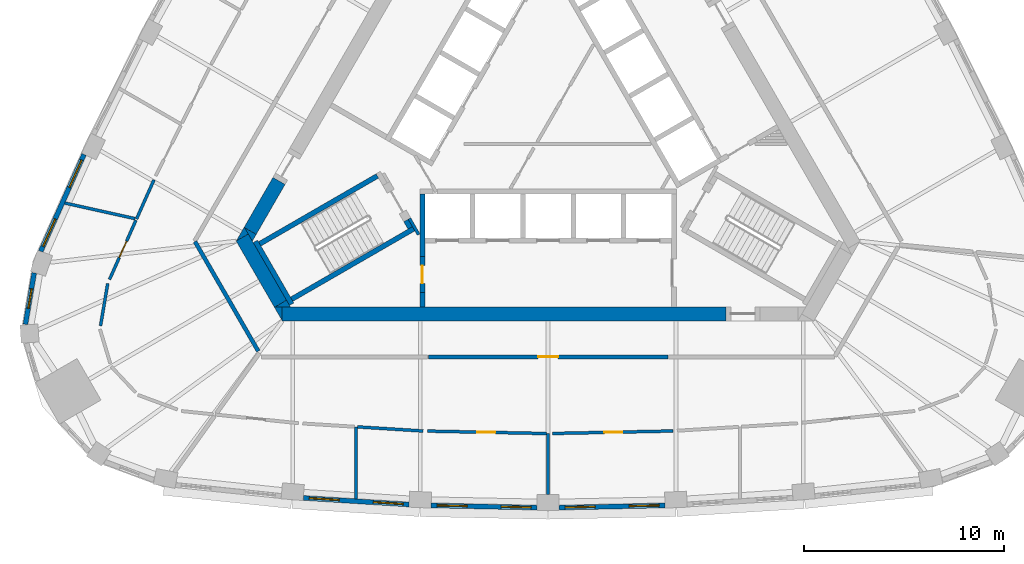
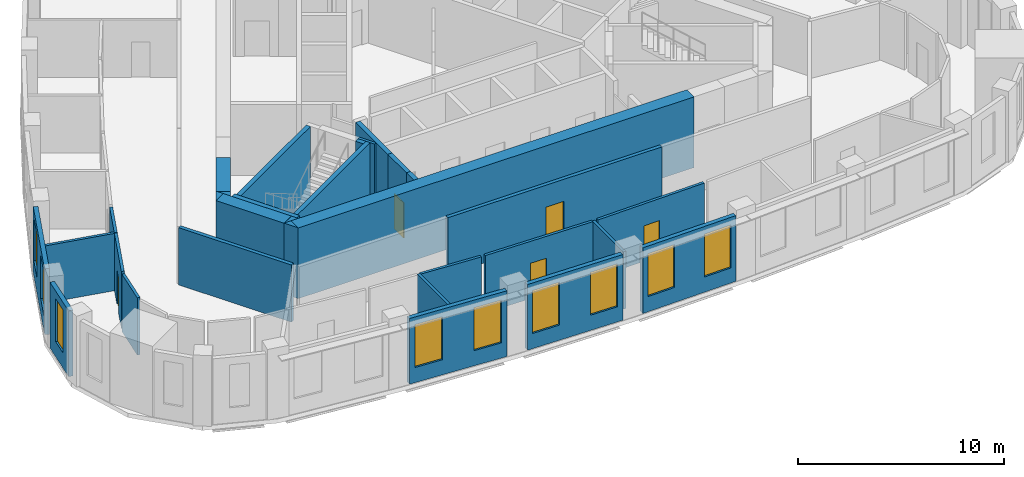
# One storey, part 3 of 11: 31 walls, 9 windows, 5 doors, 14 openings.
"""IFC4 building model written with IfcOpenShell, lengths in metres."""

from ifc_helpers import new_model, si_unit, direction, frame, frame_2d, origin, place, context, subcontext, project, spatial, polyline, rectangle, outline, extrude, material, layer, layer_set, type_object, element, fill, save


model = new_model("IFC4")

# Units and contexts
model_context = context("Model", 3, precision=1e-05, world=origin(), true_north=direction((0.0, 1.0)))
body_context = subcontext(model_context, "Body", "Model", "MODEL_VIEW")
ifc_project = project(units=[si_unit("LENGTHUNIT", "METRE"), si_unit("AREAUNIT", "SQUARE_METRE"), si_unit("VOLUMEUNIT", "CUBIC_METRE"), si_unit("PLANEANGLEUNIT", "RADIAN"), si_unit("MASSUNIT", "GRAM", prefix="KILO")], contexts=[model_context])

# Site, building, storey
site_placement = place(None, origin())
site = spatial("IfcSite", under=ifc_project, at=site_placement, CompositionType="ELEMENT")
building_placement = place(site_placement, origin())
building = spatial("IfcBuilding", under=site, at=building_placement, Name="Mestral Congress Tower", CompositionType="ELEMENT")
storey_placement = place(building_placement, frame((0.0, 0.0, 252.0)))
storey = spatial("IfcBuildingStorey", under=building, at=storey_placement, Name="L59", CompositionType="ELEMENT", Elevation=252.0)

# Walls
ifc_material_1 = material(Name="Concrete C60/75", Category="concrete")
ifc_layer_1 = layer(ifc_material_1, 0.699951171875)
ifc_layer_set_1 = layer_set([ifc_layer_1], Name="Concrete C60/75")
wall_type_1 = type_object("IfcWallType", Name="Core wall RC 700", PredefinedType="SOLIDWALL", material=ifc_layer_set_1)
wall_1_placement = place(storey_placement, frame((8.904296875, -10.0, 0.0), z_axis=(0.0, 0.0, 1.0), x_axis=(-1.0, 0.0, 0.0)))
element("IfcWall", 1, at=wall_1_placement, inside=storey, type_object=wall_type_1, Name="L59 core wall", PredefinedType="SOLIDWALL", context=body_context, shape_type="SweptSolid", body=[
    extrude(rectangle(XDim=22.226318359375, YDim=0.699951171875, at=frame_2d((11.11328125, 0.0))), origin(), (0.0, 0.0, 1.0), 4.199951171875),
])
placement = place(storey_placement, origin())
element("IfcWall", 2, at=placement, inside=storey, type_object=wall_type_1, Name="L59 core wall", PredefinedType="SOLIDWALL", context=body_context, shape_type="SweptSolid", body=[
    extrude(outline(polyline([(-13.7119140625, -9.64990234375), (-13.323974609375, -9.64990234375), (-13.323974609375, -10.322021484375), (-13.7119140625, -9.64990234375)])), origin(), (0.0, 0.0, 1.0), 4.199951171875),
])
wall_3_placement = place(storey_placement, frame((-13.40185546875, -9.4873046875, 0.0), z_axis=(0.0, 0.0, 1.0), x_axis=(-0.500020498207, 0.866013568815, 0.0)))
element("IfcWall", 3, at=wall_3_placement, inside=storey, type_object=wall_type_1, Name="L59 core wall", PredefinedType="SOLIDWALL", context=body_context, shape_type="SweptSolid", body=[
    extrude(rectangle(XDim=3.828857421875, YDim=0.699951171875, at=frame_2d((1.91455078125, 0.0))), origin(), (0.0, 0.0, 1.0), 4.199951171875),
])
element("IfcWall", 4, at=placement, inside=storey, type_object=wall_type_1, Name="L59 core wall", PredefinedType="SOLIDWALL", context=body_context, shape_type="SweptSolid", body=[
    extrude(outline(polyline([(-15.01416015625, -5.99462890625), (-15.611083984375, -6.33935546875), (-15.213134765625, -5.64990234375), (-15.01416015625, -5.99462890625)])), origin(), (0.0, 0.0, 1.0), 4.199951171875),
])
element("IfcWall", 5, at=placement, inside=storey, type_object=wall_type_1, Name="L59 core wall", PredefinedType="SOLIDWALL", context=body_context, shape_type="SweptSolid", body=[
    extrude(outline(polyline([(-12.90380859375, -9.64990234375), (-13.6796875, -9.64990234375), (-13.097900390625, -9.31396484375), (-12.90380859375, -9.64990234375)])), origin(), (0.0, 0.0, 1.0), 4.199951171875),
])
wall_6_placement = place(storey_placement, frame((-13.474853515625, -3.33935546875, 0.0), z_axis=(0.0, 0.0, 1.0), x_axis=(-0.500008214683, -0.866020660983, 0.0)))
element("IfcWall", 6, at=wall_6_placement, inside=storey, type_object=wall_type_1, Name="L59 core wall", PredefinedType="SOLIDWALL", context=body_context, shape_type="SweptSolid", body=[
    extrude(rectangle(XDim=2.88427734375, YDim=0.699951171875, at=frame_2d((1.442138671875, 0.0))), origin(), (0.0, 0.0, 1.0), 4.199951171875),
])
element("IfcWall", 7, at=placement, inside=storey, type_object=wall_type_1, Name="L59 core wall", PredefinedType="SOLIDWALL", context=body_context, shape_type="SweptSolid", body=[
    extrude(outline(polyline([(-14.80908203125, -6.35009765625), (-15.197021484375, -5.677978515625), (-14.614990234375, -6.013916015625), (-14.80908203125, -6.35009765625)])), origin(), (0.0, 0.0, 1.0), 4.199951171875),
])

# Wall, openings, windows
ifc_material_2 = material(Name="Precast concrete C40/50 with limestone facing", Category="masonry")
ifc_layer_2 = layer(ifc_material_2, 0.239990234375)
ifc_layer_set_2 = layer_set([ifc_layer_2], Name="Precast concrete C40/50 with limestone facing")
wall_type_2 = type_object("IfcWallType", Name="Facade stone wall 240", PredefinedType="SOLIDWALL", material=ifc_layer_set_2)
wall_8_placement = place(storey_placement, frame((-12.253173828125, -19.21337890625, 0.0), z_axis=(0.0, 0.0, 1.0), x_axis=(0.9980633213, -0.062206162685, 0.0)))
wall_8 = element("IfcWall", 8, at=wall_8_placement, inside=storey, type_object=wall_type_2, Name="Facade wall F0-01", PredefinedType="SOLIDWALL", context=body_context, shape_type="SweptSolid", body=[
    extrude(rectangle(XDim=5.29833984375, YDim=0.239990234375, at=frame_2d((2.649169921875, 0.0))), origin(), (0.0, 0.0, 1.0), 3.89990234375),
])
opening_1_placement = place(wall_8_placement, frame((0.29443359375, 0.0, 0.89990234375)))
opening_1 = element("IfcOpeningElement", 9, at=opening_1_placement, cuts=wall_8, Name="Opening W4", PredefinedType="OPENING", context=body_context, shape_type="SweptSolid", body=[
    extrude(rectangle(XDim=1.5, YDim=2.550048828125, at=frame_2d((0.75, 1.27490234375))), frame((0.0, 0.1298828125, 0.0), z_axis=(0.0, -1.0, 0.0), x_axis=(1.0, 0.0, 0.0)), (0.0, 0.0, 1.0), 0.260009765625),
])
opening_2_placement = place(wall_8_placement, frame((3.503662109375, 0.0, 0.89990234375)))
opening_2 = element("IfcOpeningElement", 10, at=opening_2_placement, cuts=wall_8, Name="Opening W4", PredefinedType="OPENING", context=body_context, shape_type="SweptSolid", body=[
    extrude(rectangle(XDim=1.5, YDim=2.550048828125, at=frame_2d((0.75, 1.27490234375))), frame((0.0, 0.1298828125, 0.0), z_axis=(0.0, -1.0, 0.0), x_axis=(1.0, 0.0, 0.0)), (0.0, 0.0, 1.0), 0.260009765625),
])
ifc_material_3 = material(Name="Clear low-emissivity double glazing", Category="glass")
window_type_1 = type_object("IfcWindowType", Name="Facade punched window 1500 x 2550 sill 900", PartitioningType="SINGLE_PANEL", PredefinedType="WINDOW", material=ifc_material_3)
window_1_placement = place(opening_1_placement, origin())
window_1 = element("IfcWindow", 11, at=window_1_placement, inside=storey, type_object=window_type_1, Name="Window F0-01a", OverallHeight=2.550048828125, OverallWidth=1.5, PartitioningType="SINGLE_PANEL", PredefinedType="WINDOW", context=body_context, shape_type="SweptSolid", body=[
    extrude(rectangle(XDim=1.5, YDim=2.550048828125, at=frame_2d((0.75, 1.27490234375))), frame((0.0, 0.0400390625, 0.0), z_axis=(0.0, -1.0, 0.0), x_axis=(1.0, 0.0, 0.0)), (0.0, 0.0, 1.0), 0.06005859375),
])
fill(opening_1, window_1)
window_2_placement = place(opening_2_placement, origin())
window_2 = element("IfcWindow", 12, at=window_2_placement, inside=storey, type_object=window_type_1, Name="Window F0-01b", OverallHeight=2.550048828125, OverallWidth=1.5, PartitioningType="SINGLE_PANEL", PredefinedType="WINDOW", context=body_context, shape_type="SweptSolid", body=[
    extrude(rectangle(XDim=1.5, YDim=2.550048828125, at=frame_2d((0.75, 1.27490234375))), frame((0.0, 0.0400390625, 0.0), z_axis=(0.0, -1.0, 0.0), x_axis=(1.0, 0.0, 0.0)), (0.0, 0.0, 1.0), 0.06005859375),
])
fill(opening_2, window_2)

wall_9_placement = place(storey_placement, frame((-5.853515625, -19.589111328125, 0.0), z_axis=(0.0, 0.0, 1.0), x_axis=(0.999784035184, -0.020781794712, 0.0)))
wall_9 = element("IfcWall", 13, at=wall_9_placement, inside=storey, type_object=wall_type_2, Name="Facade wall F0-02", PredefinedType="SOLIDWALL", context=body_context, shape_type="SweptSolid", body=[
    extrude(rectangle(XDim=5.29833984375, YDim=0.239990234375, at=frame_2d((2.649169921875, 0.0))), origin(), (0.0, 0.0, 1.0), 3.89990234375),
])
opening_3_placement = place(wall_9_placement, frame((0.29443359375, 0.0, 0.89990234375)))
opening_3 = element("IfcOpeningElement", 14, at=opening_3_placement, cuts=wall_9, Name="Opening W4", PredefinedType="OPENING", context=body_context, shape_type="SweptSolid", body=[
    extrude(rectangle(XDim=1.5, YDim=2.550048828125, at=frame_2d((0.75, 1.27490234375))), frame((0.0, 0.1298828125, 0.0), z_axis=(0.0, -1.0, 0.0), x_axis=(1.0, 0.0, 0.0)), (0.0, 0.0, 1.0), 0.260009765625),
])
opening_4_placement = place(wall_9_placement, frame((3.503662109375, 0.0, 0.89990234375)))
opening_4 = element("IfcOpeningElement", 15, at=opening_4_placement, cuts=wall_9, Name="Opening W4", PredefinedType="OPENING", context=body_context, shape_type="SweptSolid", body=[
    extrude(rectangle(XDim=1.5, YDim=2.550048828125, at=frame_2d((0.75, 1.27490234375))), frame((0.0, 0.1298828125, 0.0), z_axis=(0.0, -1.0, 0.0), x_axis=(1.0, 0.0, 0.0)), (0.0, 0.0, 1.0), 0.260009765625),
])
window_3_placement = place(opening_3_placement, origin())
window_3 = element("IfcWindow", 16, at=window_3_placement, inside=storey, type_object=window_type_1, Name="Window F0-02a", OverallHeight=2.550048828125, OverallWidth=1.5, PartitioningType="SINGLE_PANEL", PredefinedType="WINDOW", context=body_context, shape_type="SweptSolid", body=[
    extrude(rectangle(XDim=1.5, YDim=2.550048828125, at=frame_2d((0.75, 1.27490234375))), frame((0.0, 0.0400390625, 0.0), z_axis=(0.0, -1.0, 0.0), x_axis=(1.0, 0.0, 0.0)), (0.0, 0.0, 1.0), 0.06005859375),
])
fill(opening_3, window_3)
window_4_placement = place(opening_4_placement, origin())
window_4 = element("IfcWindow", 17, at=window_4_placement, inside=storey, type_object=window_type_1, Name="Window F0-02b", OverallHeight=2.550048828125, OverallWidth=1.5, PartitioningType="SINGLE_PANEL", PredefinedType="WINDOW", context=body_context, shape_type="SweptSolid", body=[
    extrude(rectangle(XDim=1.5, YDim=2.550048828125, at=frame_2d((0.75, 1.27490234375))), frame((0.0, 0.0400390625, 0.0), z_axis=(0.0, -1.0, 0.0), x_axis=(1.0, 0.0, 0.0)), (0.0, 0.0, 1.0), 0.06005859375),
])
fill(opening_4, window_4)

wall_10_placement = place(storey_placement, frame((0.556396484375, -19.69921875, 0.0), z_axis=(0.0, 0.0, 1.0), x_axis=(0.999784035184, 0.020781794712, 0.0)))
wall_10 = element("IfcWall", 18, at=wall_10_placement, inside=storey, type_object=wall_type_2, Name="Facade wall F0-03", PredefinedType="SOLIDWALL", context=body_context, shape_type="SweptSolid", body=[
    extrude(rectangle(XDim=5.29833984375, YDim=0.239990234375, at=frame_2d((2.649169921875, 0.0))), origin(), (0.0, 0.0, 1.0), 3.89990234375),
])
opening_5_placement = place(wall_10_placement, frame((0.29443359375, 0.0, 0.89990234375)))
opening_5 = element("IfcOpeningElement", 19, at=opening_5_placement, cuts=wall_10, Name="Opening W4", PredefinedType="OPENING", context=body_context, shape_type="SweptSolid", body=[
    extrude(rectangle(XDim=1.5, YDim=2.550048828125, at=frame_2d((0.75, 1.27490234375))), frame((0.0, 0.1298828125, 0.0), z_axis=(0.0, -1.0, 0.0), x_axis=(1.0, 0.0, 0.0)), (0.0, 0.0, 1.0), 0.260009765625),
])
opening_6_placement = place(wall_10_placement, frame((3.503662109375, 0.0, 0.89990234375)))
opening_6 = element("IfcOpeningElement", 20, at=opening_6_placement, cuts=wall_10, Name="Opening W4", PredefinedType="OPENING", context=body_context, shape_type="SweptSolid", body=[
    extrude(rectangle(XDim=1.5, YDim=2.550048828125, at=frame_2d((0.75, 1.27490234375))), frame((0.0, 0.1298828125, 0.0), z_axis=(0.0, -1.0, 0.0), x_axis=(1.0, 0.0, 0.0)), (0.0, 0.0, 1.0), 0.260009765625),
])
window_5_placement = place(opening_5_placement, origin())
window_5 = element("IfcWindow", 21, at=window_5_placement, inside=storey, type_object=window_type_1, Name="Window F0-03a", OverallHeight=2.550048828125, OverallWidth=1.5, PartitioningType="SINGLE_PANEL", PredefinedType="WINDOW", context=body_context, shape_type="SweptSolid", body=[
    extrude(rectangle(XDim=1.5, YDim=2.550048828125, at=frame_2d((0.75, 1.27490234375))), frame((0.0, 0.0400390625, 0.0), z_axis=(0.0, -1.0, 0.0), x_axis=(1.0, 0.0, 0.0)), (0.0, 0.0, 1.0), 0.06005859375),
])
fill(opening_5, window_5)
window_6_placement = place(opening_6_placement, origin())
window_6 = element("IfcWindow", 22, at=window_6_placement, inside=storey, type_object=window_type_1, Name="Window F0-03b", OverallHeight=2.550048828125, OverallWidth=1.5, PartitioningType="SINGLE_PANEL", PredefinedType="WINDOW", context=body_context, shape_type="SweptSolid", body=[
    extrude(rectangle(XDim=1.5, YDim=2.550048828125, at=frame_2d((0.75, 1.27490234375))), frame((0.0, 0.0400390625, 0.0), z_axis=(0.0, -1.0, 0.0), x_axis=(1.0, 0.0, 0.0)), (0.0, 0.0, 1.0), 0.06005859375),
])
fill(opening_6, window_6)

wall_11_placement = place(storey_placement, frame((-23.240478515625, -2.01123046875, 0.0), z_axis=(0.0, 0.0, 1.0), x_axis=(-0.407579651789, -0.913169659728, 0.0)))
wall_11 = element("IfcWall", 23, at=wall_11_placement, inside=storey, type_object=wall_type_2, Name="Facade wall F2-05", PredefinedType="SOLIDWALL", context=body_context, shape_type="SweptSolid", body=[
    extrude(rectangle(XDim=5.310791015625, YDim=0.239990234375, at=frame_2d((2.6552734375, 0.0))), origin(), (0.0, 0.0, 1.0), 3.89990234375),
])
opening_7_placement = place(wall_11_placement, frame((0.306396484375, 0.0, 0.89990234375)))
opening_7 = element("IfcOpeningElement", 24, at=opening_7_placement, cuts=wall_11, Name="Opening W4", PredefinedType="OPENING", context=body_context, shape_type="SweptSolid", body=[
    extrude(rectangle(XDim=1.5, YDim=2.550048828125, at=frame_2d((0.75, 1.27490234375))), frame((0.0, 0.1298828125, 0.0), z_axis=(0.0, -1.0, 0.0), x_axis=(1.0, 0.0, 0.0)), (0.0, 0.0, 1.0), 0.260009765625),
])
opening_8_placement = place(wall_11_placement, frame((3.539306640625, 0.0, 0.89990234375)))
opening_8 = element("IfcOpeningElement", 25, at=opening_8_placement, cuts=wall_11, Name="Opening W4", PredefinedType="OPENING", context=body_context, shape_type="SweptSolid", body=[
    extrude(rectangle(XDim=1.5, YDim=2.550048828125, at=frame_2d((0.75, 1.27490234375))), frame((0.0, 0.1298828125, 0.0), z_axis=(0.0, -1.0, 0.0), x_axis=(1.0, 0.0, 0.0)), (0.0, 0.0, 1.0), 0.260009765625),
])
window_7_placement = place(opening_7_placement, origin())
window_7 = element("IfcWindow", 26, at=window_7_placement, inside=storey, type_object=window_type_1, Name="Window F2-05a", OverallHeight=2.550048828125, OverallWidth=1.5, PartitioningType="SINGLE_PANEL", PredefinedType="WINDOW", context=body_context, shape_type="SweptSolid", body=[
    extrude(rectangle(XDim=1.5, YDim=2.550048828125, at=frame_2d((0.75, 1.27490234375))), frame((0.0, 0.0400390625, 0.0), z_axis=(0.0, -1.0, 0.0), x_axis=(1.0, 0.0, 0.0)), (0.0, 0.0, 1.0), 0.06005859375),
])
fill(opening_7, window_7)
window_8_placement = place(opening_8_placement, origin())
window_8 = element("IfcWindow", 27, at=window_8_placement, inside=storey, type_object=window_type_1, Name="Window F2-05b", OverallHeight=2.550048828125, OverallWidth=1.5, PartitioningType="SINGLE_PANEL", PredefinedType="WINDOW", context=body_context, shape_type="SweptSolid", body=[
    extrude(rectangle(XDim=1.5, YDim=2.550048828125, at=frame_2d((0.75, 1.27490234375))), frame((0.0, 0.0400390625, 0.0), z_axis=(0.0, -1.0, 0.0), x_axis=(1.0, 0.0, 0.0)), (0.0, 0.0, 1.0), 0.06005859375),
])
fill(opening_8, window_8)

# Wall, opening, window
wall_12_placement = place(storey_placement, frame((-25.734130859375, -7.94482421875, 0.0), z_axis=(0.0, 0.0, 1.0), x_axis=(-0.167660055546, -0.985844869021, 0.0)))
wall_12 = element("IfcWall", 28, at=wall_12_placement, inside=storey, type_object=wall_type_2, Name="Facade wall K2-0", PredefinedType="SOLIDWALL", context=body_context, shape_type="SweptSolid", body=[
    extrude(rectangle(XDim=2.609375, YDim=0.239990234375, at=frame_2d((1.3046875, 0.0))), origin(), (0.0, 0.0, 1.0), 3.89990234375),
])
opening_9_placement = place(wall_12_placement, frame((0.8046875, 0.0, 0.89990234375)))
opening_9 = element("IfcOpeningElement", 29, at=opening_9_placement, cuts=wall_12, Name="Opening W5", PredefinedType="OPENING", context=body_context, shape_type="SweptSolid", body=[
    extrude(rectangle(XDim=1.0, YDim=2.550048828125, at=frame_2d((0.5, 1.27490234375))), frame((0.0, 0.1298828125, 0.0), z_axis=(0.0, -1.0, 0.0), x_axis=(1.0, 0.0, 0.0)), (0.0, 0.0, 1.0), 0.260009765625),
])
window_type_2 = type_object("IfcWindowType", Name="Facade punched window 1000 x 2550 sill 900", PartitioningType="SINGLE_PANEL", PredefinedType="WINDOW", material=ifc_material_3)
window_9_placement = place(opening_9_placement, origin())
window_9 = element("IfcWindow", 30, at=window_9_placement, inside=storey, type_object=window_type_2, Name="Window K2-0", OverallHeight=2.550048828125, OverallWidth=1.0, PartitioningType="SINGLE_PANEL", PredefinedType="WINDOW", context=body_context, shape_type="SweptSolid", body=[
    extrude(rectangle(XDim=1.0, YDim=2.550048828125, at=frame_2d((0.5, 1.27490234375))), frame((0.0, 0.0400390625, 0.0), z_axis=(0.0, -1.0, 0.0), x_axis=(1.0, 0.0, 0.0)), (0.0, 0.0, 1.0), 0.06005859375),
])
fill(opening_9, window_9)

# Walls
ifc_material_4 = material(Name="Plasterboard partition on steel studs", Category="steel")
ifc_layer_3 = layer(ifc_material_4, 0.14990234375)
ifc_layer_set_3 = layer_set([ifc_layer_3], Name="Plasterboard partition on steel studs")
wall_type_3 = type_object("IfcWallType", Name="Office partition 150", PredefinedType="PARTITIONING", material=ifc_layer_set_3)
wall_13_placement = place(storey_placement, frame((-9.61962890625, -15.650390625, 0.0), z_axis=(0.0, 0.0, 1.0), x_axis=(0.0, -1.0, 0.0)))
element("IfcWall", 31, at=wall_13_placement, inside=storey, type_object=wall_type_3, Name="Partition", PredefinedType="PARTITIONING", context=body_context, shape_type="SweptSolid", body=[
    extrude(rectangle(XDim=3.60693359375, YDim=0.14990234375, at=frame_2d((1.803466796875, 0.0))), origin(), (0.0, 0.0, 1.0), 3.39990234375),
])
wall_14_placement = place(storey_placement, frame((0.0, -15.989990234375, 0.0), z_axis=(0.0, 0.0, 1.0), x_axis=(0.0, -1.0, 0.0)))
element("IfcWall", 32, at=wall_14_placement, inside=storey, type_object=wall_type_3, Name="Partition", PredefinedType="PARTITIONING", context=body_context, shape_type="SweptSolid", body=[
    extrude(rectangle(XDim=3.04052734375, YDim=0.14990234375, at=frame_2d((1.520263671875, 0.0))), origin(), (0.0, 0.0, 1.0), 3.39990234375),
])
wall_15_placement = place(storey_placement, frame((-9.544677734375, -15.655029296875, 0.0), z_axis=(0.0, 0.0, 1.0), x_axis=(0.998062078928, -0.062226092652, 0.0)))
element("IfcWall", 33, at=wall_15_placement, inside=storey, type_object=wall_type_3, Name="Partition", PredefinedType="PARTITIONING", context=body_context, shape_type="SweptSolid", body=[
    extrude(rectangle(XDim=3.295654296875, YDim=0.14990234375, at=frame_2d((1.64794921875, 0.0))), origin(), (0.0, 0.0, 1.0), 3.39990234375),
])

# Wall, opening, door
wall_16_placement = place(storey_placement, frame((-0.074951171875, -15.98828125, 0.0), z_axis=(0.0, 0.0, 1.0), x_axis=(-0.999784863333, 0.020741915284, 0.0)))
wall_16 = element("IfcWall", 34, at=wall_16_placement, inside=storey, type_object=wall_type_3, Name="Partition", PredefinedType="PARTITIONING", context=body_context, shape_type="SweptSolid", body=[
    extrude(rectangle(XDim=5.967529296875, YDim=0.14990234375, at=frame_2d((2.98388671875, 0.0))), origin(), (0.0, 0.0, 1.0), 3.39990234375),
])
opening_10_placement = place(wall_16_placement, frame((2.5673828125, 0.0, 0.0)))
opening_10 = element("IfcOpeningElement", 35, at=opening_10_placement, cuts=wall_16, Name="Opening O10-002", PredefinedType="OPENING", context=body_context, shape_type="SweptSolid", body=[
    extrude(rectangle(XDim=0.89990234375, YDim=2.10009765625, at=frame_2d((0.449951171875, 1.050048828125))), frame((0.0, 0.0849609375, 0.0), z_axis=(0.0, -1.0, 0.0), x_axis=(1.0, 0.0, 0.0)), (0.0, 0.0, 1.0), 0.169921875),
])
ifc_material_5 = material(Name="Timber door set", Category="wood")
door_type_1 = type_object("IfcDoorType", Name="Office door 900x2100", OperationType="SINGLE_SWING_LEFT", PredefinedType="DOOR", material=ifc_material_5)
door_1_placement = place(opening_10_placement, origin())
door_1 = element("IfcDoor", 36, at=door_1_placement, inside=storey, type_object=door_type_1, Name="Door O10-002", OperationType="SINGLE_SWING_RIGHT", OverallHeight=2.10009765625, OverallWidth=0.89990234375, PredefinedType="DOOR", context=body_context, shape_type="SweptSolid", body=[
    extrude(rectangle(XDim=0.89990234375, YDim=2.10009765625, at=frame_2d((0.449951171875, 1.050048828125))), frame((0.0, 0.02490234375, 0.0), z_axis=(0.0, -1.0, 0.0), x_axis=(1.0, 0.0, 0.0)), (0.0, 0.0, 1.0), 0.050048828125),
])
fill(opening_10, door_1)

wall_17_placement = place(storey_placement, frame((6.25537109375, -15.860107421875, 0.0), z_axis=(0.0, 0.0, 1.0), x_axis=(-0.999785172511, -0.020727007213, 0.0)))
wall_17 = element("IfcWall", 37, at=wall_17_placement, inside=storey, type_object=wall_type_3, Name="Partition", PredefinedType="PARTITIONING", context=body_context, shape_type="SweptSolid", body=[
    extrude(rectangle(XDim=6.04248046875, YDim=0.14990234375, at=frame_2d((3.021240234375, 0.0))), origin(), (0.0, 0.0, 1.0), 3.39990234375),
])
opening_11_placement = place(wall_17_placement, frame((2.54248046875, 0.0, 0.0)))
opening_11 = element("IfcOpeningElement", 38, at=opening_11_placement, cuts=wall_17, Name="Opening O10-003", PredefinedType="OPENING", context=body_context, shape_type="SweptSolid", body=[
    extrude(rectangle(XDim=0.89990234375, YDim=2.10009765625, at=frame_2d((0.449951171875, 1.050048828125))), frame((0.0, 0.0849609375, 0.0), z_axis=(0.0, -1.0, 0.0), x_axis=(1.0, 0.0, 0.0)), (0.0, 0.0, 1.0), 0.169921875),
])
door_2_placement = place(opening_11_placement, origin())
door_2 = element("IfcDoor", 39, at=door_2_placement, inside=storey, type_object=door_type_1, Name="Door O10-003", OperationType="SINGLE_SWING_LEFT", OverallHeight=2.10009765625, OverallWidth=0.89990234375, PredefinedType="DOOR", context=body_context, shape_type="SweptSolid", body=[
    extrude(rectangle(XDim=0.89990234375, YDim=2.10009765625, at=frame_2d((0.449951171875, 1.050048828125))), frame((0.0, 0.02490234375, 0.0), z_axis=(0.0, -1.0, 0.0), x_axis=(1.0, 0.0, 0.0)), (0.0, 0.0, 1.0), 0.050048828125),
])
fill(opening_11, door_2)

# Walls
wall_18_placement = place(storey_placement, frame((-19.7353515625, -3.28564453125, 0.0), z_axis=(0.0, 0.0, 1.0), x_axis=(-0.407596561527, -0.913162112131, 0.0)))
element("IfcWall", 40, at=wall_18_placement, inside=storey, type_object=wall_type_3, Name="Partition", PredefinedType="PARTITIONING", context=body_context, shape_type="SweptSolid", body=[
    extrude(rectangle(XDim=2.14306640625, YDim=0.14990234375, at=frame_2d((1.071533203125, 0.0))), origin(), (0.0, 0.0, 1.0), 3.39990234375),
])
wall_19_placement = place(storey_placement, frame((-20.68359375, -5.22607421875, 0.0), z_axis=(0.0, 0.0, 1.0), x_axis=(-0.976260449593, 0.216599941274, 0.0)))
element("IfcWall", 41, at=wall_19_placement, inside=storey, type_object=wall_type_3, Name="Partition", PredefinedType="PARTITIONING", context=body_context, shape_type="SweptSolid", body=[
    extrude(rectangle(XDim=3.597900390625, YDim=0.14990234375, at=frame_2d((1.798828125, 0.0))), origin(), (0.0, 0.0, 1.0), 3.39990234375),
])
wall_20_placement = place(storey_placement, frame((-22.41162109375, -10.5966796875, 0.0), z_axis=(0.0, 0.0, 1.0), x_axis=(0.167612004459, 0.985853039738, 0.0)))
element("IfcWall", 42, at=wall_20_placement, inside=storey, type_object=wall_type_3, Name="Partition", PredefinedType="PARTITIONING", context=body_context, shape_type="SweptSolid", body=[
    extrude(rectangle(XDim=2.15576171875, YDim=0.14990234375, at=frame_2d((1.077880859375, 0.0))), origin(), (0.0, 0.0, 1.0), 3.39990234375),
])

# Wall, opening, door
wall_21_placement = place(storey_placement, frame((-21.962890625, -8.27587890625, 0.0), z_axis=(0.0, 0.0, 1.0), x_axis=(0.407560214661, 0.913178334952, 0.0)))
wall_21 = element("IfcWall", 43, at=wall_21_placement, inside=storey, type_object=wall_type_3, Name="Partition", PredefinedType="PARTITIONING", context=body_context, shape_type="SweptSolid", body=[
    extrude(rectangle(XDim=3.2490234375, YDim=0.14990234375, at=frame_2d((1.62451171875, 0.0))), origin(), (0.0, 0.0, 1.0), 3.39990234375),
])
opening_12_placement = place(wall_21_placement, frame((1.199951171875, 0.0, 0.0)))
opening_12 = element("IfcOpeningElement", 44, at=opening_12_placement, cuts=wall_21, Name="Opening O10-017", PredefinedType="OPENING", context=body_context, shape_type="SweptSolid", body=[
    extrude(rectangle(XDim=0.89990234375, YDim=2.10009765625, at=frame_2d((0.449951171875, 1.050048828125))), frame((0.0, 0.0849609375, 0.0), z_axis=(0.0, -1.0, 0.0), x_axis=(1.0, 0.0, 0.0)), (0.0, 0.0, 1.0), 0.169921875),
])
door_3_placement = place(opening_12_placement, origin())
door_3 = element("IfcDoor", 45, at=door_3_placement, inside=storey, type_object=door_type_1, Name="Door O10-017", OperationType="SINGLE_SWING_RIGHT", OverallHeight=2.10009765625, OverallWidth=0.89990234375, PredefinedType="DOOR", context=body_context, shape_type="SweptSolid", body=[
    extrude(rectangle(XDim=0.89990234375, YDim=2.10009765625, at=frame_2d((0.449951171875, 1.050048828125))), frame((0.0, 0.02490234375, 0.0), z_axis=(0.0, -1.0, 0.0), x_axis=(1.0, 0.0, 0.0)), (0.0, 0.0, 1.0), 0.050048828125),
])
fill(opening_12, door_3)

ifc_material_6 = material(Name="Dense masonry wall, plastered", Category="masonry")
ifc_layer_4 = layer(ifc_material_6, 0.199951171875)
ifc_layer_set_4 = layer_set([ifc_layer_4], Name="Dense masonry wall, plastered")
wall_type_4 = type_object("IfcWallType", Name="Office tenancy wall 200", PredefinedType="PARTITIONING", material=ifc_layer_set_4)
wall_22_placement = place(storey_placement, frame((-6.0, -12.14990234375, 0.0), z_axis=(0.0, 0.0, 1.0), x_axis=(1.0, 0.0, 0.0)))
wall_22 = element("IfcWall", 46, at=wall_22_placement, inside=storey, type_object=wall_type_4, Name="Tenancy wall", PredefinedType="PARTITIONING", context=body_context, shape_type="SweptSolid", body=[
    extrude(rectangle(XDim=12.0, YDim=0.199951171875, at=frame_2d((6.0, 0.0))), origin(), (0.0, 0.0, 1.0), 3.39990234375),
])
opening_13_placement = place(wall_22_placement, frame((5.5, 0.0, 0.0)))
opening_13 = element("IfcOpeningElement", 47, at=opening_13_placement, cuts=wall_22, Name="Opening O10-006", PredefinedType="OPENING", context=body_context, shape_type="SweptSolid", body=[
    extrude(rectangle(XDim=1.0, YDim=2.10009765625, at=frame_2d((0.5, 1.050048828125))), frame((0.0, 0.10986328125, 0.0), z_axis=(0.0, -1.0, 0.0), x_axis=(1.0, 0.0, 0.0)), (0.0, 0.0, 1.0), 0.219970703125),
])
ifc_material_7 = material(Name="Fire-rated timber door set", Category="wood")
door_type_2 = type_object("IfcDoorType", Name="Office tenancy entrance door 1000x2100", OperationType="SINGLE_SWING_LEFT", PredefinedType="DOOR", material=ifc_material_7)
door_4_placement = place(opening_13_placement, origin())
door_4 = element("IfcDoor", 48, at=door_4_placement, inside=storey, type_object=door_type_2, Name="Door O10-006", OperationType="SINGLE_SWING_RIGHT", OverallHeight=2.10009765625, OverallWidth=1.0, PredefinedType="DOOR", context=body_context, shape_type="SweptSolid", body=[
    extrude(rectangle(XDim=1.0, YDim=2.10009765625, at=frame_2d((0.5, 1.050048828125))), frame((0.0, 0.02490234375, 0.0), z_axis=(0.0, -1.0, 0.0), x_axis=(1.0, 0.0, 0.0)), (0.0, 0.0, 1.0), 0.050048828125),
])
fill(opening_13, door_4)

# Walls
wall_23_placement = place(storey_placement, frame((-17.680908203125, -6.3759765625, 0.0), z_axis=(0.0, 0.0, 1.0), x_axis=(0.500017005442, -0.866015585465, 0.0)))
element("IfcWall", 49, at=wall_23_placement, inside=storey, type_object=wall_type_4, Name="Tenancy wall", PredefinedType="PARTITIONING", context=body_context, shape_type="SweptSolid", body=[
    extrude(rectangle(XDim=6.337646484375, YDim=0.199951171875, at=frame_2d((3.1689453125, 0.0))), origin(), (0.0, 0.0, 1.0), 3.39990234375),
])
ifc_layer_5 = layer(ifc_material_1, 0.25)
ifc_layer_set_5 = layer_set([ifc_layer_5], Name="Concrete C60/75")
wall_type_5 = type_object("IfcWallType", Name="Shaft wall RC 250", PredefinedType="SOLIDWALL", material=ifc_layer_set_5)
wall_24_placement = place(storey_placement, frame((-6.300048828125, -8.9248046875, 0.0), z_axis=(0.0, 0.0, 1.0), x_axis=(0.0, -1.0, 0.0)))
element("IfcWall", 50, at=wall_24_placement, inside=storey, type_object=wall_type_5, Name="L59 core wall", PredefinedType="SOLIDWALL", context=body_context, shape_type="SweptSolid", body=[
    extrude(rectangle(XDim=0.72509765625, YDim=0.25, at=frame_2d((0.362548828125, 0.0))), origin(), (0.0, 0.0, 1.0), 4.199951171875),
])
wall_25_placement = place(storey_placement, frame((-6.300048828125, -7.12451171875, 0.0), z_axis=(0.0, 0.0, 1.0), x_axis=(0.0, 1.0, 0.0)))
element("IfcWall", 51, at=wall_25_placement, inside=storey, type_object=wall_type_5, Name="L59 core wall", PredefinedType="SOLIDWALL", context=body_context, shape_type="SweptSolid", body=[
    extrude(rectangle(XDim=3.12451171875, YDim=0.25, at=frame_2d((1.562255859375, 0.0))), origin(), (0.0, 0.0, 1.0), 4.199951171875),
])

# Wall, opening, door
wall_26_placement = place(storey_placement, frame((-6.300048828125, -7.12451171875, 0.0), z_axis=(0.0, 0.0, 1.0), x_axis=(0.0, -1.0, 0.0)))
wall_26 = element("IfcWall", 52, at=wall_26_placement, inside=storey, type_object=wall_type_5, Name="L59 door wall", PredefinedType="SOLIDWALL", context=body_context, shape_type="SweptSolid", body=[
    extrude(rectangle(XDim=1.800048828125, YDim=0.25, at=frame_2d((0.89990234375, 0.0))), origin(), (0.0, 0.0, 1.0), 4.199951171875),
])
opening_14_placement = place(wall_26_placement, frame((0.449951171875, 0.0, 0.0)))
opening_14 = element("IfcOpeningElement", 53, at=opening_14_placement, cuts=wall_26, Name="Opening TD3", PredefinedType="OPENING", context=body_context, shape_type="SweptSolid", body=[
    extrude(rectangle(XDim=0.89990234375, YDim=2.10009765625, at=frame_2d((0.449951171875, 1.050048828125))), frame((0.0, 0.135009765625, 0.0), z_axis=(0.0, -1.0, 0.0), x_axis=(1.0, 0.0, 0.0)), (0.0, 0.0, 1.0), 0.27001953125),
])
ifc_material_8 = material(Name="Fire-rated steel door set", Category="steel")
door_type_3 = type_object("IfcDoorType", Name="Core door SR 900x2100", OperationType="SINGLE_SWING_LEFT", PredefinedType="DOOR", material=ifc_material_8)
door_5_placement = place(opening_14_placement, origin())
door_5 = element("IfcDoor", 54, at=door_5_placement, inside=storey, type_object=door_type_3, Name="Door TD3", OperationType="SINGLE_SWING_LEFT", OverallHeight=2.10009765625, OverallWidth=0.89990234375, PredefinedType="DOOR", context=body_context, shape_type="SweptSolid", body=[
    extrude(rectangle(XDim=0.89990234375, YDim=2.10009765625, at=frame_2d((0.449951171875, 1.050048828125))), frame((0.0, 0.02490234375, 0.0), z_axis=(0.0, -1.0, 0.0), x_axis=(1.0, 0.0, 0.0)), (0.0, 0.0, 1.0), 0.050048828125),
])
fill(opening_14, door_5)

# Walls
ifc_layer_6 = layer(ifc_material_1, 0.14990234375)
ifc_layer_set_6 = layer_set([ifc_layer_6], Name="Concrete C60/75")
wall_type_6 = type_object("IfcWallType", Name="Shaft wall RC 250 door-wall 150", PredefinedType="SOLIDWALL", material=ifc_layer_set_6)
wall_27_placement = place(storey_placement, frame((-6.48046875, -6.026611328125, 0.0), z_axis=(0.0, 0.0, 1.0), x_axis=(-0.499927229454, 0.866067413802, 0.0)))
element("IfcWall", 55, at=wall_27_placement, inside=storey, type_object=wall_type_6, Name="L59 core wall", PredefinedType="PARTITIONING", context=body_context, shape_type="SweptSolid", body=[
    extrude(rectangle(XDim=0.928955078125, YDim=0.14990234375, at=frame_2d((0.46435546875, 0.0))), origin(), (0.0, 0.0, 1.0), 4.199951171875),
])
ifc_layer_7 = layer(ifc_material_1, 0.25)
ifc_layer_set_7 = layer_set([ifc_layer_7], Name="Concrete C60/75")
wall_type_7 = type_object("IfcWallType", Name="Stair wall RC 250", PredefinedType="SOLIDWALL", material=ifc_layer_set_7)
wall_28_placement = place(storey_placement, frame((-12.839599609375, -9.510986328125, 0.0), z_axis=(0.0, 0.0, 1.0), x_axis=(-0.499997733992, 0.866026712061, 0.0)))
element("IfcWall", 56, at=wall_28_placement, inside=storey, type_object=wall_type_7, Name="L59 core wall", PredefinedType="SOLIDWALL", context=body_context, shape_type="SweptSolid", body=[
    extrude(rectangle(XDim=3.6337890625, YDim=0.25, at=frame_2d((1.81689453125, 0.0))), origin(), (0.0, 0.0, 1.0), 4.199951171875),
])
wall_29_placement = place(storey_placement, frame((-14.43994140625, -6.489501953125, 0.0), z_axis=(0.0, 0.0, 1.0), x_axis=(0.866022966069, 0.500004222222, 0.0)))
element("IfcWall", 57, at=wall_29_placement, inside=storey, type_object=wall_type_7, Name="L59 core wall", PredefinedType="SOLIDWALL", context=body_context, shape_type="SweptSolid", body=[
    extrude(rectangle(XDim=6.80029296875, YDim=0.25, at=frame_2d((3.400146484375, 0.0))), origin(), (0.0, 0.0, 1.0), 4.199951171875),
])
wall_30_placement = place(storey_placement, frame((-12.83984375, -9.2607421875, 0.0), z_axis=(0.0, 0.0, 1.0), x_axis=(0.866016039709, 0.500016218704, 0.0)))
element("IfcWall", 58, at=wall_30_placement, inside=storey, type_object=wall_type_7, Name="L59 core wall", PredefinedType="SOLIDWALL", context=body_context, shape_type="SweptSolid", body=[
    extrude(rectangle(XDim=7.050048828125, YDim=0.25, at=frame_2d((3.52490234375, 0.0))), origin(), (0.0, 0.0, 1.0), 4.199951171875),
])
wall_31_placement = place(storey_placement, frame((-6.905029296875, -5.68994140625, 0.0), z_axis=(0.0, 0.0, 1.0), x_axis=(-0.500402024738, 0.865793170242, 0.0)))
element("IfcWall", 59, at=wall_31_placement, inside=storey, type_object=wall_type_7, Name="L59 core wall", PredefinedType="SOLIDWALL", context=body_context, shape_type="SweptSolid", body=[
    extrude(rectangle(XDim=0.425048828125, YDim=0.25, at=frame_2d((0.21240234375, 0.0))), origin(), (0.0, 0.0, 1.0), 4.199951171875),
])

save(model, "model.ifc")
